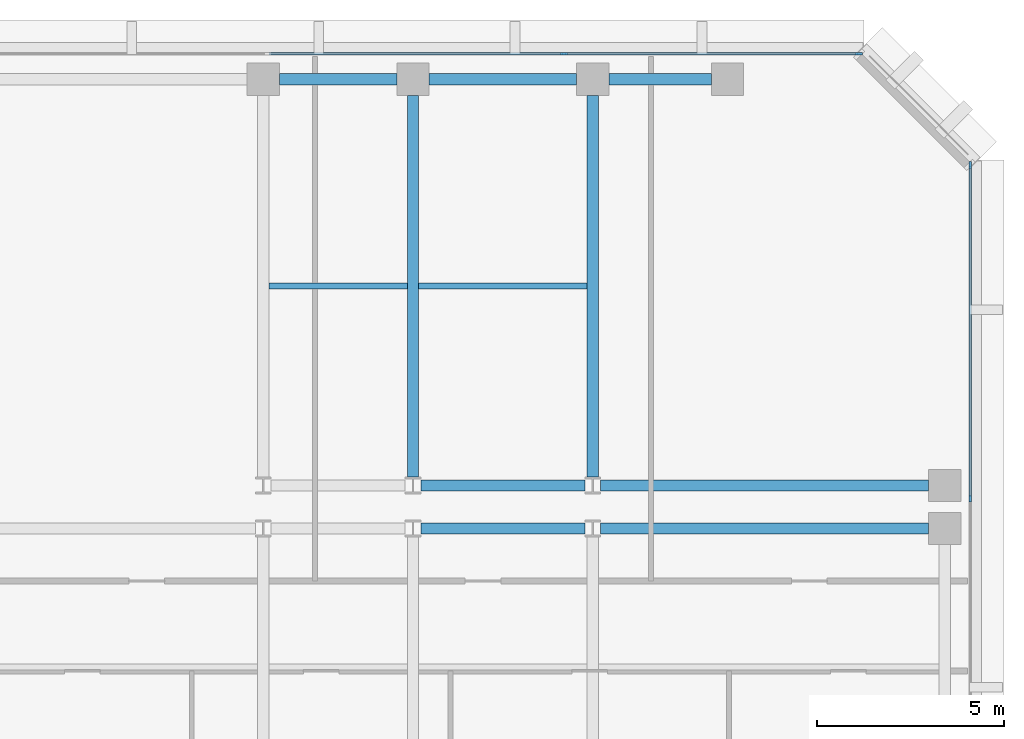
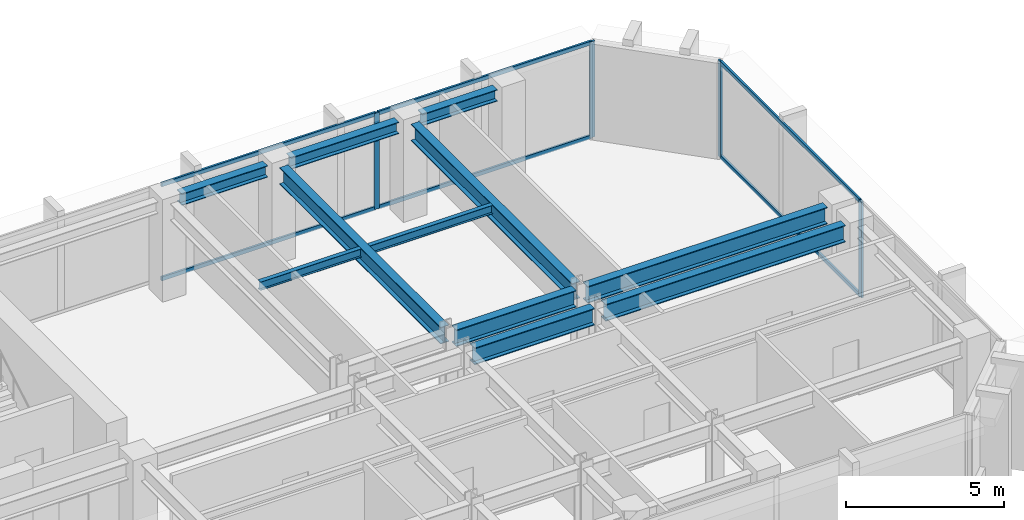
# One storey, part 5 of 11: 11 beams, 10 members, 2 elements without a shape of their own.
"""IFC4 building model written with IfcOpenShell, lengths in metres."""

from ifc_helpers import new_model, si_unit, direction, frame, origin, origin_2d, place, context, subcontext, project, spatial, rectangle, i_section, extrude, material, layer, layer_set, material_profile, profile_set, type_object, element, aggregate, save


model = new_model("IFC4")

# Units and contexts
model_context = context("Model", 3, precision=1e-05, world=origin(), true_north=direction((0.0, 1.0)))
body_context = subcontext(model_context, "Body", "Model", "MODEL_VIEW")
ifc_project = project(units=[si_unit("LENGTHUNIT", "METRE"), si_unit("AREAUNIT", "SQUARE_METRE"), si_unit("VOLUMEUNIT", "CUBIC_METRE"), si_unit("PLANEANGLEUNIT", "RADIAN"), si_unit("MASSUNIT", "GRAM", prefix="KILO")], contexts=[model_context])

# Site, building, storey
site_placement = place(None, origin())
site = spatial("IfcSite", under=ifc_project, at=site_placement, CompositionType="ELEMENT")
building_placement = place(site_placement, origin())
building = spatial("IfcBuilding", under=site, at=building_placement, Name="Kefirva Bronze Tower", CompositionType="ELEMENT")
storey_placement = place(building_placement, frame((0.0, 0.0, 154.77001953125)))
storey = spatial("IfcBuildingStorey", under=building, at=storey_placement, Name="L37", CompositionType="ELEMENT", Elevation=154.77001953125)

# Curtain wall, members
ifc_material_1 = material(Name="Bronze anodised aluminium", Category="aluminium")
ifc_layer = layer(ifc_material_1, 0.199951171875, Name="Bronze anodised aluminium")
ifc_layer_set = layer_set([ifc_layer], Name="Bronze anodised aluminium")
curtain_wall_type = type_object("IfcCurtainWallType", Name="Unitised Bronze Ribbon Curtain Wall Zone 2", PredefinedType="USERDEFINED", material=ifc_layer_set)
curtain_wall_1_placement = place(storey_placement, origin())
curtain_wall_1 = element("IfcCurtainWall", 1, at=curtain_wall_1_placement, inside=storey, type_object=curtain_wall_type, Name="L37 Curtain Wall 4", ObjectType="UNITISED CURTAIN WALL", PredefinedType="USERDEFINED")
ifc_material_profile_1 = material_profile(ifc_material_1, rectangle(XDim=0.074951171875, YDim=0.179931640625, at=origin_2d()), Name="ALU 75x180")
ifc_profile_set_1 = profile_set([ifc_material_profile_1], Name="Bronze anodised aluminium")
member_type_1 = type_object("IfcMemberType", Name="Bronze Mullion 75x180", PredefinedType="MULLION", material=ifc_profile_set_1)
member_1_placement = place(storey_placement, frame((50.080078125, 34.0, 0.0), z_axis=(0.0, 0.0, 1.0), x_axis=(-1.0, 0.0, 0.0)))
member_1 = element("IfcMember", 2, at=member_1_placement, type_object=member_type_1, Name="CW-02 mullion 2", PredefinedType="MULLION", context=body_context, shape_type="SweptSolid", body=[
    extrude(rectangle(XDim=0.074951171875, YDim=0.179931640625, at=origin_2d()), origin(), (0.0, 0.0, 1.0), 3.7099609375),
])
member_2_placement = place(storey_placement, frame((50.080078125, 42.907470703125, 0.0), z_axis=(0.0, 0.0, 1.0), x_axis=(-1.0, 0.0, 0.0)))
member_2 = element("IfcMember", 3, at=member_2_placement, type_object=member_type_1, Name="CW-02 mullion 3", PredefinedType="MULLION", context=body_context, shape_type="SweptSolid", body=[
    extrude(rectangle(XDim=0.074951171875, YDim=0.179931640625, at=origin_2d()), origin(), (0.0, 0.0, 1.0), 3.7099609375),
])

curtain_wall_2_placement = place(storey_placement, origin())
curtain_wall_2 = element("IfcCurtainWall", 4, at=curtain_wall_2_placement, inside=storey, type_object=curtain_wall_type, Name="L37 Curtain Wall 5", ObjectType="UNITISED CURTAIN WALL", PredefinedType="USERDEFINED")
member_3_placement = place(storey_placement, frame((47.107421875, 45.8798828125, 0.0), z_axis=(0.0, 0.0, 1.0), x_axis=(0.0, -1.0, 0.0)))
member_3 = element("IfcMember", 5, at=member_3_placement, type_object=member_type_1, Name="CW-02 mullion 1", PredefinedType="MULLION", context=body_context, shape_type="SweptSolid", body=[
    extrude(rectangle(XDim=0.074951171875, YDim=0.179931640625, at=origin_2d()), origin(), (0.0, 0.0, 1.0), 3.7099609375),
])
member_4_placement = place(storey_placement, frame((39.231689453125, 45.8798828125, 0.0), z_axis=(0.0, 0.0, 1.0), x_axis=(0.0, -1.0, 0.0)))
member_4 = element("IfcMember", 6, at=member_4_placement, type_object=member_type_1, Name="CW-02 mullion 2", PredefinedType="MULLION", context=body_context, shape_type="SweptSolid", body=[
    extrude(rectangle(XDim=0.074951171875, YDim=0.179931640625, at=origin_2d()), origin(), (0.0, 0.0, 1.0), 3.7099609375),
])

# Member
ifc_material_profile_2 = material_profile(ifc_material_1, rectangle(XDim=0.074951171875, YDim=0.14990234375, at=origin_2d()), Name="ALU 75x150")
ifc_profile_set_2 = profile_set([ifc_material_profile_2], Name="Bronze anodised aluminium")
member_type_2 = type_object("IfcMemberType", Name="Bronze Transom 75x150", PredefinedType="USERDEFINED", material=ifc_profile_set_2)
member_5_placement = place(storey_placement, frame((50.080078125, 34.03759765625, 0.03759765625), z_axis=(0.0, 1.0, 0.0), x_axis=(-1.0, 0.0, 0.0)))
member_5 = element("IfcMember", 7, at=member_5_placement, type_object=member_type_2, Name="CW-02 transom 2.1", ObjectType="TRANSOM", PredefinedType="USERDEFINED", context=body_context, shape_type="SweptSolid", body=[
    extrude(rectangle(XDim=0.074951171875, YDim=0.14990234375, at=origin_2d()), origin(), (0.0, 0.0, 1.0), 8.83251953125),
])

member_6_placement = place(storey_placement, frame((50.080078125, 34.03759765625, 3.67236328125), z_axis=(0.0, 1.0, 0.0), x_axis=(-1.0, 0.0, 0.0)))
member_6 = element("IfcMember", 8, at=member_6_placement, type_object=member_type_2, Name="CW-02 transom 2.2", ObjectType="TRANSOM", PredefinedType="USERDEFINED", context=body_context, shape_type="SweptSolid", body=[
    extrude(rectangle(XDim=0.074951171875, YDim=0.14990234375, at=origin_2d()), origin(), (0.0, 0.0, 1.0), 8.83251953125),
])

aggregate(curtain_wall_1, [member_1, member_2, member_5, member_6])

member_7_placement = place(storey_placement, frame((47.070068359375, 45.8798828125, 0.03759765625), z_axis=(-1.0, 0.0, 0.0), x_axis=(0.0, -1.0, 0.0)))
member_7 = element("IfcMember", 9, at=member_7_placement, type_object=member_type_2, Name="CW-02 transom 1.1", ObjectType="TRANSOM", PredefinedType="USERDEFINED", context=body_context, shape_type="SweptSolid", body=[
    extrude(rectangle(XDim=0.074951171875, YDim=0.14990234375, at=origin_2d()), origin(), (0.0, 0.0, 1.0), 7.80078125),
])

member_8_placement = place(storey_placement, frame((47.070068359375, 45.8798828125, 3.67236328125), z_axis=(-1.0, 0.0, 0.0), x_axis=(0.0, -1.0, 0.0)))
member_8 = element("IfcMember", 10, at=member_8_placement, type_object=member_type_2, Name="CW-02 transom 1.2", ObjectType="TRANSOM", PredefinedType="USERDEFINED", context=body_context, shape_type="SweptSolid", body=[
    extrude(rectangle(XDim=0.074951171875, YDim=0.14990234375, at=origin_2d()), origin(), (0.0, 0.0, 1.0), 7.80078125),
])

member_9_placement = place(storey_placement, frame((39.194091796875, 45.8798828125, 0.03759765625), z_axis=(-1.0, 0.0, 0.0), x_axis=(0.0, -1.0, 0.0)))
member_9 = element("IfcMember", 11, at=member_9_placement, type_object=member_type_2, Name="CW-02 transom 2.1", ObjectType="TRANSOM", PredefinedType="USERDEFINED", context=body_context, shape_type="SweptSolid", body=[
    extrude(rectangle(XDim=0.074951171875, YDim=0.14990234375, at=origin_2d()), origin(), (0.0, 0.0, 1.0), 7.83837890625),
])

member_10_placement = place(storey_placement, frame((39.194091796875, 45.8798828125, 3.67236328125), z_axis=(-1.0, 0.0, 0.0), x_axis=(0.0, -1.0, 0.0)))
member_10 = element("IfcMember", 12, at=member_10_placement, type_object=member_type_2, Name="CW-02 transom 2.2", ObjectType="TRANSOM", PredefinedType="USERDEFINED", context=body_context, shape_type="SweptSolid", body=[
    extrude(rectangle(XDim=0.074951171875, YDim=0.14990234375, at=origin_2d()), origin(), (0.0, 0.0, 1.0), 7.83837890625),
])

aggregate(curtain_wall_2, [member_3, member_4, member_7, member_8, member_9, member_10])

# Beams
ifc_material_2 = material(Name="Steel S355", Category="steel")
ifc_material_profile_3 = material_profile(ifc_material_2, i_section(OverallWidth=0.159912109375, OverallDepth=0.330078125, WebThickness=0.007568359375, FlangeThickness=0.011474609375, at=origin_2d()), Name="IPE 330")
ifc_profile_set_3 = profile_set([ifc_material_profile_3], Name="Steel S355")
beam_type_1 = type_object("IfcBeamType", Name="Steel Floor Joist IPE 330", PredefinedType="JOIST", material=ifc_profile_set_3)
beam_1_placement = place(storey_placement, frame((31.35009765625, 39.673583984375, 3.544921875), z_axis=(1.0, 0.0, 0.0), x_axis=(0.0, 1.0, 0.0)))
element("IfcBeam", 13, at=beam_1_placement, inside=storey, type_object=beam_type_1, Name="L37 JST-L37-31-396", PredefinedType="JOIST", context=body_context, shape_type="SweptSolid", body=[
    extrude(i_section(OverallWidth=0.159912109375, OverallDepth=0.330078125, WebThickness=0.007568359375, FlangeThickness=0.011474609375, at=origin_2d()), origin(), (0.0, 0.0, 1.0), 3.699951171875),
])
beam_2_placement = place(storey_placement, frame((35.35009765625, 39.673583984375, 3.544921875), z_axis=(1.0, 0.0, 0.0), x_axis=(0.0, 1.0, 0.0)))
element("IfcBeam", 14, at=beam_2_placement, inside=storey, type_object=beam_type_1, Name="L37 JST-L37-35-396", PredefinedType="JOIST", context=body_context, shape_type="SweptSolid", body=[
    extrude(i_section(OverallWidth=0.159912109375, OverallDepth=0.330078125, WebThickness=0.007568359375, FlangeThickness=0.011474609375, at=origin_2d()), origin(), (0.0, 0.0, 1.0), 4.5),
])
ifc_material_profile_4 = material_profile(ifc_material_2, i_section(OverallWidth=0.300048828125, OverallDepth=0.64990234375, WebThickness=0.01611328125, FlangeThickness=0.031005859375, at=origin_2d()), Name="HEB 650")
ifc_profile_set_4 = profile_set([ifc_material_profile_4], Name="Steel S355")
beam_type_2 = type_object("IfcBeamType", Name="Steel Girder HEB 650", PredefinedType="USERDEFINED", material=ifc_profile_set_4)
beam_3_placement = place(storey_placement, frame((35.408935546875, 33.199951171875, 3.385009765625), z_axis=(1.0, 0.0, 0.0), x_axis=(0.0, 1.0, 0.0)))
element("IfcBeam", 15, at=beam_3_placement, inside=storey, type_object=beam_type_2, Name="L37 BM-L37-EW-35-332", ObjectType="GIRDER", PredefinedType="USERDEFINED", context=body_context, shape_type="SweptSolid", body=[
    extrude(i_section(OverallWidth=0.300048828125, OverallDepth=0.64990234375, WebThickness=0.01611328125, FlangeThickness=0.031005859375, at=origin_2d()), origin(), (0.0, 0.0, 1.0), 4.382080078125),
])
beam_4_placement = place(storey_placement, frame((40.208984375, 33.199951171875, 3.385009765625), z_axis=(1.0, 0.0, 0.0), x_axis=(0.0, 1.0, 0.0)))
element("IfcBeam", 16, at=beam_4_placement, inside=storey, type_object=beam_type_2, Name="L37 BM-L37-EW-40-332", ObjectType="GIRDER", PredefinedType="USERDEFINED", context=body_context, shape_type="SweptSolid", body=[
    extrude(i_section(OverallWidth=0.300048828125, OverallDepth=0.64990234375, WebThickness=0.01611328125, FlangeThickness=0.031005859375, at=origin_2d()), origin(), (0.0, 0.0, 1.0), 8.760986328125),
])
beam_5_placement = place(storey_placement, frame((35.408935546875, 34.35009765625, 3.385009765625), z_axis=(1.0, 0.0, 0.0), x_axis=(0.0, 1.0, 0.0)))
element("IfcBeam", 17, at=beam_5_placement, inside=storey, type_object=beam_type_2, Name="L37 BM-L37-EW-35-344", ObjectType="GIRDER", PredefinedType="USERDEFINED", context=body_context, shape_type="SweptSolid", body=[
    extrude(i_section(OverallWidth=0.300048828125, OverallDepth=0.64990234375, WebThickness=0.01611328125, FlangeThickness=0.031005859375, at=origin_2d()), origin(), (0.0, 0.0, 1.0), 4.382080078125),
])
beam_6_placement = place(storey_placement, frame((40.208984375, 34.35009765625, 3.385009765625), z_axis=(1.0, 0.0, 0.0), x_axis=(0.0, 1.0, 0.0)))
element("IfcBeam", 18, at=beam_6_placement, inside=storey, type_object=beam_type_2, Name="L37 BM-L37-EW-40-344", ObjectType="GIRDER", PredefinedType="USERDEFINED", context=body_context, shape_type="SweptSolid", body=[
    extrude(i_section(OverallWidth=0.300048828125, OverallDepth=0.64990234375, WebThickness=0.01611328125, FlangeThickness=0.031005859375, at=origin_2d()), origin(), (0.0, 0.0, 1.0), 8.760986328125),
])
for number, where, z_axis, x_axis, name in (
    (19, (35.199951171875, 34.577392578125, 3.385009765625), (0.0, 1.0, 0.0), (-1.0, 0.0, 0.0), "L37 BM-L37-NS-352-34"),
    (20, (40.0, 34.577392578125, 3.385009765625), (0.0, 1.0, 0.0), (-1.0, 0.0, 0.0), "L37 BM-L37-NS-400-34"),
):
    element("IfcBeam", number, at=place(storey_placement, frame(where, z_axis=z_axis, x_axis=x_axis)), inside=storey, type_object=beam_type_2, Name=name, ObjectType="GIRDER", PredefinedType="USERDEFINED", context=body_context, shape_type="SweptSolid", body=[
        extrude(i_section(OverallWidth=0.300048828125, OverallDepth=0.64990234375, WebThickness=0.01611328125, FlangeThickness=0.031005859375, at=origin_2d()), origin(), (0.0, 0.0, 1.0), 10.192626953125),
    ])
ifc_material_profile_5 = material_profile(ifc_material_2, i_section(OverallWidth=0.300048828125, OverallDepth=0.449951171875, WebThickness=0.013916015625, FlangeThickness=0.02587890625, at=origin_2d()), Name="HEB 450")
ifc_profile_set_5 = profile_set([ifc_material_profile_5], Name="Steel S355")
beam_type_3 = type_object("IfcBeamType", Name="Steel Spandrel HEB 450 Ext", PredefinedType="SPANDREL", material=ifc_profile_set_5)
beam_7_placement = place(storey_placement, frame((31.6298828125, 45.199951171875, 3.48486328125), z_axis=(1.0, 0.0, 0.0), x_axis=(0.0, 1.0, 0.0)))
element("IfcBeam", 21, at=beam_7_placement, inside=storey, type_object=beam_type_3, Name="L37 BM-L37-EW-31-452", PredefinedType="SPANDREL", context=body_context, shape_type="SweptSolid", body=[
    extrude(i_section(OverallWidth=0.300048828125, OverallDepth=0.449951171875, WebThickness=0.013916015625, FlangeThickness=0.02587890625, at=origin_2d()), origin(), (0.0, 0.0, 1.0), 3.14013671875),
])
beam_8_placement = place(storey_placement, frame((35.6298828125, 45.199951171875, 3.48486328125), z_axis=(1.0, 0.0, 0.0), x_axis=(0.0, 1.0, 0.0)))
element("IfcBeam", 22, at=beam_8_placement, inside=storey, type_object=beam_type_3, Name="L37 BM-L37-EW-35-452", PredefinedType="SPANDREL", context=body_context, shape_type="SweptSolid", body=[
    extrude(i_section(OverallWidth=0.300048828125, OverallDepth=0.449951171875, WebThickness=0.013916015625, FlangeThickness=0.02587890625, at=origin_2d()), origin(), (0.0, 0.0, 1.0), 3.940185546875),
])
beam_9_placement = place(storey_placement, frame((40.429931640625, 45.199951171875, 3.48486328125), z_axis=(1.0, 0.0, 0.0), x_axis=(0.0, 1.0, 0.0)))
element("IfcBeam", 23, at=beam_9_placement, inside=storey, type_object=beam_type_3, Name="L37 BM-L37-EW-40-452", PredefinedType="SPANDREL", context=body_context, shape_type="SweptSolid", body=[
    extrude(i_section(OverallWidth=0.300048828125, OverallDepth=0.449951171875, WebThickness=0.013916015625, FlangeThickness=0.02587890625, at=origin_2d()), origin(), (0.0, 0.0, 1.0), 2.739990234375),
])

save(model, "model.ifc")
